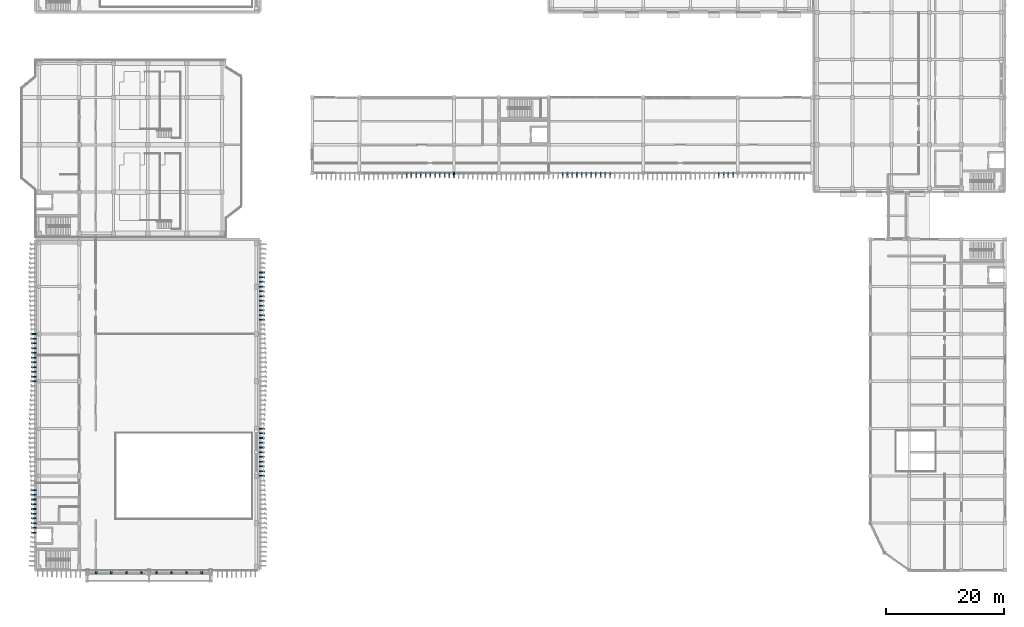
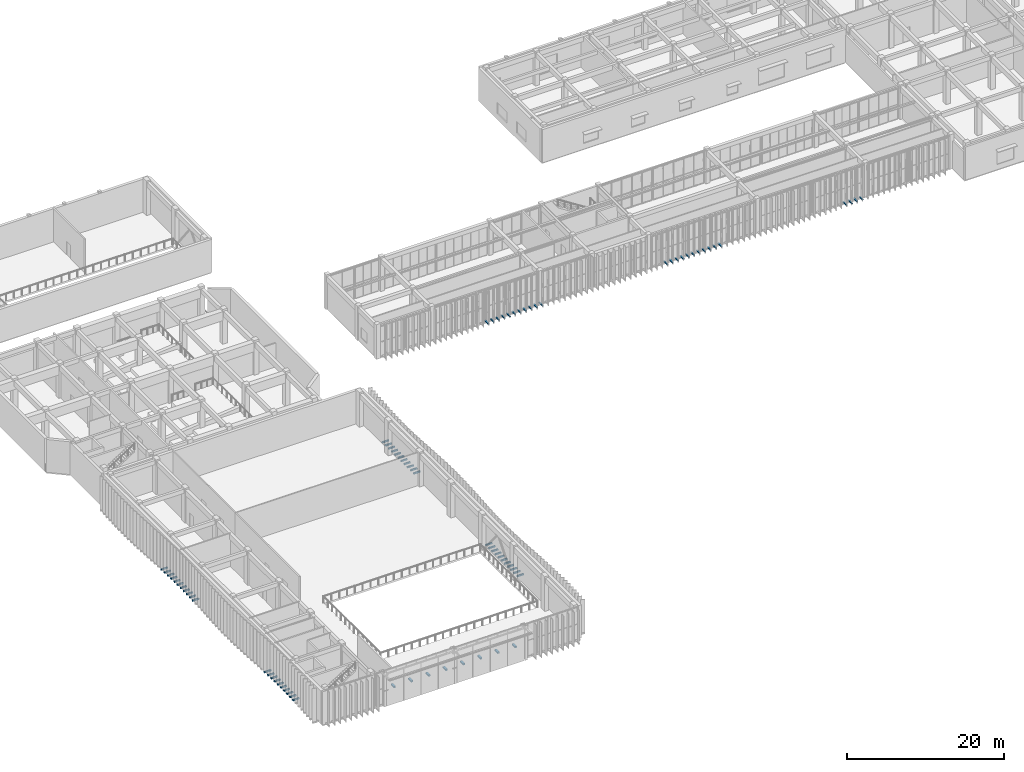
# One storey, part 50 of 64: 77 discrete accessories.
"""IFC4 building model written with IfcOpenShell, lengths in metres."""

from ifc_helpers import new_model, si_unit, direction, frame, origin, origin_2d, place, context, subcontext, project, spatial, rectangle, extrude, material, type_object, element, save


model = new_model("IFC4")

# Units and contexts
model_context = context("Model", 3, precision=1e-05, world=origin(), true_north=direction((0.0, 1.0)))
body_context = subcontext(model_context, "Body", "Model", "MODEL_VIEW")
ifc_project = project(units=[si_unit("LENGTHUNIT", "METRE"), si_unit("AREAUNIT", "SQUARE_METRE"), si_unit("VOLUMEUNIT", "CUBIC_METRE"), si_unit("PLANEANGLEUNIT", "RADIAN"), si_unit("MASSUNIT", "GRAM", prefix="KILO")], contexts=[model_context])

# Site, building, storey
site_placement = place(None, origin())
site = spatial("IfcSite", under=ifc_project, at=site_placement, CompositionType="ELEMENT")
building_placement = place(site_placement, origin())
building = spatial("IfcBuilding", under=site, at=building_placement, Name="Cinchona Park Media Centre", CompositionType="ELEMENT")
storey_placement = place(building_placement, frame((0.0, 0.0, 10.199951171875)))
storey = spatial("IfcBuildingStorey", under=building, at=storey_placement, Name="L02", CompositionType="ELEMENT", Elevation=10.199951171875)

# Discrete accessories
ifc_material = material(Name="Steel S355", Category="steel")
discrete_accessory_type = type_object("IfcDiscreteAccessoryType", Name="BRACKET-BRK01", PredefinedType="BRACKET", material=ifc_material)
discrete_accessory_1_placement = place(storey_placement, frame((7.681884765625, 47.60009765625, 0.0400390625), z_axis=(0.0, 0.0, 1.0), x_axis=(0.0, -1.0, 0.0)))
element("IfcDiscreteAccessory", 1, at=discrete_accessory_1_placement, inside=storey, type_object=discrete_accessory_type, Name="Facade Fin Outrigger Bracket L02", PredefinedType="BRACKET", context=body_context, shape_type="SweptSolid", body=[
    extrude(rectangle(XDim=0.179931640625, YDim=0.9560546875, at=origin_2d()), origin(), (0.0, 0.0, 1.0), 0.159912109375),
])
discrete_accessory_2_placement = place(storey_placement, frame((7.697021484375, 46.800048828125, 0.0400390625), z_axis=(0.0, 0.0, 1.0), x_axis=(0.0, -1.0, 0.0)))
element("IfcDiscreteAccessory", 2, at=discrete_accessory_2_placement, inside=storey, type_object=discrete_accessory_type, Name="Facade Fin Outrigger Bracket L02", PredefinedType="BRACKET", context=body_context, shape_type="SweptSolid", body=[
    extrude(rectangle(XDim=0.179931640625, YDim=0.925048828125, at=origin_2d()), origin(), (0.0, 0.0, 1.0), 0.159912109375),
])
discrete_accessory_3_placement = place(storey_placement, frame((7.7109375, 46.0, 0.0400390625), z_axis=(0.0, 0.0, 1.0), x_axis=(0.0, -1.0, 0.0)))
element("IfcDiscreteAccessory", 3, at=discrete_accessory_3_placement, inside=storey, type_object=discrete_accessory_type, Name="Facade Fin Outrigger Bracket L02", PredefinedType="BRACKET", context=body_context, shape_type="SweptSolid", body=[
    extrude(rectangle(XDim=0.179931640625, YDim=0.89892578125, at=origin_2d()), origin(), (0.0, 0.0, 1.0), 0.159912109375),
])
discrete_accessory_4_placement = place(storey_placement, frame((7.720947265625, 45.199951171875, 0.0400390625), z_axis=(0.0, 0.0, 1.0), x_axis=(0.0, -1.0, 0.0)))
element("IfcDiscreteAccessory", 4, at=discrete_accessory_4_placement, inside=storey, type_object=discrete_accessory_type, Name="Facade Fin Outrigger Bracket L02", PredefinedType="BRACKET", context=body_context, shape_type="SweptSolid", body=[
    extrude(rectangle(XDim=0.179931640625, YDim=0.87890625, at=origin_2d()), origin(), (0.0, 0.0, 1.0), 0.159912109375),
])
discrete_accessory_5_placement = place(storey_placement, frame((7.72705078125, 44.39990234375, 0.0400390625), z_axis=(0.0, 0.0, 1.0), x_axis=(0.0, -1.0, 0.0)))
element("IfcDiscreteAccessory", 5, at=discrete_accessory_5_placement, inside=storey, type_object=discrete_accessory_type, Name="Facade Fin Outrigger Bracket L02", PredefinedType="BRACKET", context=body_context, shape_type="SweptSolid", body=[
    extrude(rectangle(XDim=0.179931640625, YDim=0.865966796875, at=origin_2d()), origin(), (0.0, 0.0, 1.0), 0.159912109375),
])
discrete_accessory_6_placement = place(storey_placement, frame((7.72998046875, 43.60009765625, 0.0400390625), z_axis=(0.0, 0.0, 1.0), x_axis=(0.0, -1.0, 0.0)))
element("IfcDiscreteAccessory", 6, at=discrete_accessory_6_placement, inside=storey, type_object=discrete_accessory_type, Name="Facade Fin Outrigger Bracket L02", PredefinedType="BRACKET", context=body_context, shape_type="SweptSolid", body=[
    extrude(rectangle(XDim=0.179931640625, YDim=0.860107421875, at=origin_2d()), origin(), (0.0, 0.0, 1.0), 0.159912109375),
])
discrete_accessory_7_placement = place(storey_placement, frame((7.72900390625, 42.800048828125, 0.0400390625), z_axis=(0.0, 0.0, 1.0), x_axis=(0.0, -1.0, 0.0)))
element("IfcDiscreteAccessory", 7, at=discrete_accessory_7_placement, inside=storey, type_object=discrete_accessory_type, Name="Facade Fin Outrigger Bracket L02", PredefinedType="BRACKET", context=body_context, shape_type="SweptSolid", body=[
    extrude(rectangle(XDim=0.179931640625, YDim=0.862060546875, at=origin_2d()), origin(), (0.0, 0.0, 1.0), 0.159912109375),
])
discrete_accessory_8_placement = place(storey_placement, frame((7.72412109375, 42.0, 0.0400390625), z_axis=(0.0, 0.0, 1.0), x_axis=(0.0, -1.0, 0.0)))
element("IfcDiscreteAccessory", 8, at=discrete_accessory_8_placement, inside=storey, type_object=discrete_accessory_type, Name="Facade Fin Outrigger Bracket L02", PredefinedType="BRACKET", context=body_context, shape_type="SweptSolid", body=[
    extrude(rectangle(XDim=0.179931640625, YDim=0.8720703125, at=origin_2d()), origin(), (0.0, 0.0, 1.0), 0.159912109375),
])
discrete_accessory_9_placement = place(storey_placement, frame((7.716064453125, 41.199951171875, 0.0400390625), z_axis=(0.0, 0.0, 1.0), x_axis=(0.0, -1.0, 0.0)))
element("IfcDiscreteAccessory", 9, at=discrete_accessory_9_placement, inside=storey, type_object=discrete_accessory_type, Name="Facade Fin Outrigger Bracket L02", PredefinedType="BRACKET", context=body_context, shape_type="SweptSolid", body=[
    extrude(rectangle(XDim=0.179931640625, YDim=0.887939453125, at=origin_2d()), origin(), (0.0, 0.0, 1.0), 0.159912109375),
])
discrete_accessory_10_placement = place(storey_placement, frame((7.7041015625, 40.39990234375, 0.0400390625), z_axis=(0.0, 0.0, 1.0), x_axis=(0.0, -1.0, 0.0)))
element("IfcDiscreteAccessory", 10, at=discrete_accessory_10_placement, inside=storey, type_object=discrete_accessory_type, Name="Facade Fin Outrigger Bracket L02", PredefinedType="BRACKET", context=body_context, shape_type="SweptSolid", body=[
    extrude(rectangle(XDim=0.179931640625, YDim=0.910888671875, at=origin_2d()), origin(), (0.0, 0.0, 1.0), 0.159912109375),
])
discrete_accessory_11_placement = place(storey_placement, frame((7.68994140625, 39.60009765625, 0.0400390625), z_axis=(0.0, 0.0, 1.0), x_axis=(0.0, -1.0, 0.0)))
element("IfcDiscreteAccessory", 11, at=discrete_accessory_11_placement, inside=storey, type_object=discrete_accessory_type, Name="Facade Fin Outrigger Bracket L02", PredefinedType="BRACKET", context=body_context, shape_type="SweptSolid", body=[
    extrude(rectangle(XDim=0.179931640625, YDim=0.93994140625, at=origin_2d()), origin(), (0.0, 0.0, 1.0), 0.159912109375),
])
discrete_accessory_12_placement = place(storey_placement, frame((7.681884765625, 21.199951171875, 0.0400390625), z_axis=(0.0, 0.0, 1.0), x_axis=(0.0, -1.0, 0.0)))
element("IfcDiscreteAccessory", 12, at=discrete_accessory_12_placement, inside=storey, type_object=discrete_accessory_type, Name="Facade Fin Outrigger Bracket L02", PredefinedType="BRACKET", context=body_context, shape_type="SweptSolid", body=[
    extrude(rectangle(XDim=0.179931640625, YDim=0.9560546875, at=origin_2d()), origin(), (0.0, 0.0, 1.0), 0.159912109375),
])
discrete_accessory_13_placement = place(storey_placement, frame((7.697021484375, 20.39990234375, 0.0400390625), z_axis=(0.0, 0.0, 1.0), x_axis=(0.0, -1.0, 0.0)))
element("IfcDiscreteAccessory", 13, at=discrete_accessory_13_placement, inside=storey, type_object=discrete_accessory_type, Name="Facade Fin Outrigger Bracket L02", PredefinedType="BRACKET", context=body_context, shape_type="SweptSolid", body=[
    extrude(rectangle(XDim=0.179931640625, YDim=0.925048828125, at=origin_2d()), origin(), (0.0, 0.0, 1.0), 0.159912109375),
])
discrete_accessory_14_placement = place(storey_placement, frame((7.7109375, 19.60009765625, 0.0400390625), z_axis=(0.0, 0.0, 1.0), x_axis=(0.0, -1.0, 0.0)))
element("IfcDiscreteAccessory", 14, at=discrete_accessory_14_placement, inside=storey, type_object=discrete_accessory_type, Name="Facade Fin Outrigger Bracket L02", PredefinedType="BRACKET", context=body_context, shape_type="SweptSolid", body=[
    extrude(rectangle(XDim=0.179931640625, YDim=0.89892578125, at=origin_2d()), origin(), (0.0, 0.0, 1.0), 0.159912109375),
])
discrete_accessory_15_placement = place(storey_placement, frame((7.720947265625, 18.800048828125, 0.0400390625), z_axis=(0.0, 0.0, 1.0), x_axis=(0.0, -1.0, 0.0)))
element("IfcDiscreteAccessory", 15, at=discrete_accessory_15_placement, inside=storey, type_object=discrete_accessory_type, Name="Facade Fin Outrigger Bracket L02", PredefinedType="BRACKET", context=body_context, shape_type="SweptSolid", body=[
    extrude(rectangle(XDim=0.179931640625, YDim=0.87890625, at=origin_2d()), origin(), (0.0, 0.0, 1.0), 0.159912109375),
])
discrete_accessory_16_placement = place(storey_placement, frame((7.72705078125, 18.0, 0.0400390625), z_axis=(0.0, 0.0, 1.0), x_axis=(0.0, -1.0, 0.0)))
element("IfcDiscreteAccessory", 16, at=discrete_accessory_16_placement, inside=storey, type_object=discrete_accessory_type, Name="Facade Fin Outrigger Bracket L02", PredefinedType="BRACKET", context=body_context, shape_type="SweptSolid", body=[
    extrude(rectangle(XDim=0.179931640625, YDim=0.865966796875, at=origin_2d()), origin(), (0.0, 0.0, 1.0), 0.159912109375),
])
discrete_accessory_17_placement = place(storey_placement, frame((7.72998046875, 17.199951171875, 0.0400390625), z_axis=(0.0, 0.0, 1.0), x_axis=(0.0, -1.0, 0.0)))
element("IfcDiscreteAccessory", 17, at=discrete_accessory_17_placement, inside=storey, type_object=discrete_accessory_type, Name="Facade Fin Outrigger Bracket L02", PredefinedType="BRACKET", context=body_context, shape_type="SweptSolid", body=[
    extrude(rectangle(XDim=0.179931640625, YDim=0.860107421875, at=origin_2d()), origin(), (0.0, 0.0, 1.0), 0.159912109375),
])
discrete_accessory_18_placement = place(storey_placement, frame((7.72900390625, 16.39990234375, 0.0400390625), z_axis=(0.0, 0.0, 1.0), x_axis=(0.0, -1.0, 0.0)))
element("IfcDiscreteAccessory", 18, at=discrete_accessory_18_placement, inside=storey, type_object=discrete_accessory_type, Name="Facade Fin Outrigger Bracket L02", PredefinedType="BRACKET", context=body_context, shape_type="SweptSolid", body=[
    extrude(rectangle(XDim=0.179931640625, YDim=0.862060546875, at=origin_2d()), origin(), (0.0, 0.0, 1.0), 0.159912109375),
])
discrete_accessory_19_placement = place(storey_placement, frame((7.72412109375, 15.60009765625, 0.0400390625), z_axis=(0.0, 0.0, 1.0), x_axis=(0.0, -1.0, 0.0)))
element("IfcDiscreteAccessory", 19, at=discrete_accessory_19_placement, inside=storey, type_object=discrete_accessory_type, Name="Facade Fin Outrigger Bracket L02", PredefinedType="BRACKET", context=body_context, shape_type="SweptSolid", body=[
    extrude(rectangle(XDim=0.179931640625, YDim=0.8720703125, at=origin_2d()), origin(), (0.0, 0.0, 1.0), 0.159912109375),
])
discrete_accessory_20_placement = place(storey_placement, frame((7.716064453125, 14.800048828125, 0.0400390625), z_axis=(0.0, 0.0, 1.0), x_axis=(0.0, -1.0, 0.0)))
element("IfcDiscreteAccessory", 20, at=discrete_accessory_20_placement, inside=storey, type_object=discrete_accessory_type, Name="Facade Fin Outrigger Bracket L02", PredefinedType="BRACKET", context=body_context, shape_type="SweptSolid", body=[
    extrude(rectangle(XDim=0.179931640625, YDim=0.887939453125, at=origin_2d()), origin(), (0.0, 0.0, 1.0), 0.159912109375),
])
discrete_accessory_21_placement = place(storey_placement, frame((7.7041015625, 14.0, 0.0400390625), z_axis=(0.0, 0.0, 1.0), x_axis=(0.0, -1.0, 0.0)))
element("IfcDiscreteAccessory", 21, at=discrete_accessory_21_placement, inside=storey, type_object=discrete_accessory_type, Name="Facade Fin Outrigger Bracket L02", PredefinedType="BRACKET", context=body_context, shape_type="SweptSolid", body=[
    extrude(rectangle(XDim=0.179931640625, YDim=0.910888671875, at=origin_2d()), origin(), (0.0, 0.0, 1.0), 0.159912109375),
])
discrete_accessory_22_placement = place(storey_placement, frame((46.318115234375, 23.60009765625, 0.0400390625), z_axis=(0.0, 0.0, 1.0), x_axis=(0.0, 1.0, 0.0)))
element("IfcDiscreteAccessory", 22, at=discrete_accessory_22_placement, inside=storey, type_object=discrete_accessory_type, Name="Facade Fin Outrigger Bracket L02", PredefinedType="BRACKET", context=body_context, shape_type="SweptSolid", body=[
    extrude(rectangle(XDim=0.179931640625, YDim=0.9560546875, at=origin_2d()), origin(), (0.0, 0.0, 1.0), 0.159912109375),
])
discrete_accessory_23_placement = place(storey_placement, frame((46.302978515625, 24.39990234375, 0.0400390625), z_axis=(0.0, 0.0, 1.0), x_axis=(0.0, 1.0, 0.0)))
element("IfcDiscreteAccessory", 23, at=discrete_accessory_23_placement, inside=storey, type_object=discrete_accessory_type, Name="Facade Fin Outrigger Bracket L02", PredefinedType="BRACKET", context=body_context, shape_type="SweptSolid", body=[
    extrude(rectangle(XDim=0.179931640625, YDim=0.925048828125, at=origin_2d()), origin(), (0.0, 0.0, 1.0), 0.159912109375),
])
discrete_accessory_24_placement = place(storey_placement, frame((46.2890625, 25.199951171875, 0.0400390625), z_axis=(0.0, 0.0, 1.0), x_axis=(0.0, 1.0, 0.0)))
element("IfcDiscreteAccessory", 24, at=discrete_accessory_24_placement, inside=storey, type_object=discrete_accessory_type, Name="Facade Fin Outrigger Bracket L02", PredefinedType="BRACKET", context=body_context, shape_type="SweptSolid", body=[
    extrude(rectangle(XDim=0.179931640625, YDim=0.89892578125, at=origin_2d()), origin(), (0.0, 0.0, 1.0), 0.159912109375),
])
discrete_accessory_25_placement = place(storey_placement, frame((46.279052734375, 26.0, 0.0400390625), z_axis=(0.0, 0.0, 1.0), x_axis=(0.0, 1.0, 0.0)))
element("IfcDiscreteAccessory", 25, at=discrete_accessory_25_placement, inside=storey, type_object=discrete_accessory_type, Name="Facade Fin Outrigger Bracket L02", PredefinedType="BRACKET", context=body_context, shape_type="SweptSolid", body=[
    extrude(rectangle(XDim=0.179931640625, YDim=0.87890625, at=origin_2d()), origin(), (0.0, 0.0, 1.0), 0.159912109375),
])
discrete_accessory_26_placement = place(storey_placement, frame((46.27294921875, 26.800048828125, 0.0400390625), z_axis=(0.0, 0.0, 1.0), x_axis=(0.0, 1.0, 0.0)))
element("IfcDiscreteAccessory", 26, at=discrete_accessory_26_placement, inside=storey, type_object=discrete_accessory_type, Name="Facade Fin Outrigger Bracket L02", PredefinedType="BRACKET", context=body_context, shape_type="SweptSolid", body=[
    extrude(rectangle(XDim=0.179931640625, YDim=0.865966796875, at=origin_2d()), origin(), (0.0, 0.0, 1.0), 0.159912109375),
])
discrete_accessory_27_placement = place(storey_placement, frame((46.27001953125, 27.60009765625, 0.0400390625), z_axis=(0.0, 0.0, 1.0), x_axis=(0.0, 1.0, 0.0)))
element("IfcDiscreteAccessory", 27, at=discrete_accessory_27_placement, inside=storey, type_object=discrete_accessory_type, Name="Facade Fin Outrigger Bracket L02", PredefinedType="BRACKET", context=body_context, shape_type="SweptSolid", body=[
    extrude(rectangle(XDim=0.179931640625, YDim=0.860107421875, at=origin_2d()), origin(), (0.0, 0.0, 1.0), 0.159912109375),
])
discrete_accessory_28_placement = place(storey_placement, frame((46.27099609375, 28.39990234375, 0.0400390625), z_axis=(0.0, 0.0, 1.0), x_axis=(0.0, 1.0, 0.0)))
element("IfcDiscreteAccessory", 28, at=discrete_accessory_28_placement, inside=storey, type_object=discrete_accessory_type, Name="Facade Fin Outrigger Bracket L02", PredefinedType="BRACKET", context=body_context, shape_type="SweptSolid", body=[
    extrude(rectangle(XDim=0.179931640625, YDim=0.862060546875, at=origin_2d()), origin(), (0.0, 0.0, 1.0), 0.159912109375),
])
discrete_accessory_29_placement = place(storey_placement, frame((46.27587890625, 29.199951171875, 0.0400390625), z_axis=(0.0, 0.0, 1.0), x_axis=(0.0, 1.0, 0.0)))
element("IfcDiscreteAccessory", 29, at=discrete_accessory_29_placement, inside=storey, type_object=discrete_accessory_type, Name="Facade Fin Outrigger Bracket L02", PredefinedType="BRACKET", context=body_context, shape_type="SweptSolid", body=[
    extrude(rectangle(XDim=0.179931640625, YDim=0.8720703125, at=origin_2d()), origin(), (0.0, 0.0, 1.0), 0.159912109375),
])
discrete_accessory_30_placement = place(storey_placement, frame((46.283935546875, 30.0, 0.0400390625), z_axis=(0.0, 0.0, 1.0), x_axis=(0.0, 1.0, 0.0)))
element("IfcDiscreteAccessory", 30, at=discrete_accessory_30_placement, inside=storey, type_object=discrete_accessory_type, Name="Facade Fin Outrigger Bracket L02", PredefinedType="BRACKET", context=body_context, shape_type="SweptSolid", body=[
    extrude(rectangle(XDim=0.179931640625, YDim=0.887939453125, at=origin_2d()), origin(), (0.0, 0.0, 1.0), 0.159912109375),
])
discrete_accessory_31_placement = place(storey_placement, frame((46.2958984375, 30.800048828125, 0.0400390625), z_axis=(0.0, 0.0, 1.0), x_axis=(0.0, 1.0, 0.0)))
element("IfcDiscreteAccessory", 31, at=discrete_accessory_31_placement, inside=storey, type_object=discrete_accessory_type, Name="Facade Fin Outrigger Bracket L02", PredefinedType="BRACKET", context=body_context, shape_type="SweptSolid", body=[
    extrude(rectangle(XDim=0.179931640625, YDim=0.910888671875, at=origin_2d()), origin(), (0.0, 0.0, 1.0), 0.159912109375),
])
discrete_accessory_32_placement = place(storey_placement, frame((46.31005859375, 31.60009765625, 0.0400390625), z_axis=(0.0, 0.0, 1.0), x_axis=(0.0, 1.0, 0.0)))
element("IfcDiscreteAccessory", 32, at=discrete_accessory_32_placement, inside=storey, type_object=discrete_accessory_type, Name="Facade Fin Outrigger Bracket L02", PredefinedType="BRACKET", context=body_context, shape_type="SweptSolid", body=[
    extrude(rectangle(XDim=0.179931640625, YDim=0.93994140625, at=origin_2d()), origin(), (0.0, 0.0, 1.0), 0.159912109375),
])
discrete_accessory_33_placement = place(storey_placement, frame((46.318115234375, 50.0, 0.0400390625), z_axis=(0.0, 0.0, 1.0), x_axis=(0.0, 1.0, 0.0)))
element("IfcDiscreteAccessory", 33, at=discrete_accessory_33_placement, inside=storey, type_object=discrete_accessory_type, Name="Facade Fin Outrigger Bracket L02", PredefinedType="BRACKET", context=body_context, shape_type="SweptSolid", body=[
    extrude(rectangle(XDim=0.179931640625, YDim=0.9560546875, at=origin_2d()), origin(), (0.0, 0.0, 1.0), 0.159912109375),
])
discrete_accessory_34_placement = place(storey_placement, frame((46.302978515625, 50.800048828125, 0.0400390625), z_axis=(0.0, 0.0, 1.0), x_axis=(0.0, 1.0, 0.0)))
element("IfcDiscreteAccessory", 34, at=discrete_accessory_34_placement, inside=storey, type_object=discrete_accessory_type, Name="Facade Fin Outrigger Bracket L02", PredefinedType="BRACKET", context=body_context, shape_type="SweptSolid", body=[
    extrude(rectangle(XDim=0.179931640625, YDim=0.925048828125, at=origin_2d()), origin(), (0.0, 0.0, 1.0), 0.159912109375),
])
discrete_accessory_35_placement = place(storey_placement, frame((46.2890625, 51.60009765625, 0.0400390625), z_axis=(0.0, 0.0, 1.0), x_axis=(0.0, 1.0, 0.0)))
element("IfcDiscreteAccessory", 35, at=discrete_accessory_35_placement, inside=storey, type_object=discrete_accessory_type, Name="Facade Fin Outrigger Bracket L02", PredefinedType="BRACKET", context=body_context, shape_type="SweptSolid", body=[
    extrude(rectangle(XDim=0.179931640625, YDim=0.89892578125, at=origin_2d()), origin(), (0.0, 0.0, 1.0), 0.159912109375),
])
discrete_accessory_36_placement = place(storey_placement, frame((46.279052734375, 52.39990234375, 0.0400390625), z_axis=(0.0, 0.0, 1.0), x_axis=(0.0, 1.0, 0.0)))
element("IfcDiscreteAccessory", 36, at=discrete_accessory_36_placement, inside=storey, type_object=discrete_accessory_type, Name="Facade Fin Outrigger Bracket L02", PredefinedType="BRACKET", context=body_context, shape_type="SweptSolid", body=[
    extrude(rectangle(XDim=0.179931640625, YDim=0.87890625, at=origin_2d()), origin(), (0.0, 0.0, 1.0), 0.159912109375),
])
discrete_accessory_37_placement = place(storey_placement, frame((46.27294921875, 53.199951171875, 0.0400390625), z_axis=(0.0, 0.0, 1.0), x_axis=(0.0, 1.0, 0.0)))
element("IfcDiscreteAccessory", 37, at=discrete_accessory_37_placement, inside=storey, type_object=discrete_accessory_type, Name="Facade Fin Outrigger Bracket L02", PredefinedType="BRACKET", context=body_context, shape_type="SweptSolid", body=[
    extrude(rectangle(XDim=0.179931640625, YDim=0.865966796875, at=origin_2d()), origin(), (0.0, 0.0, 1.0), 0.159912109375),
])
discrete_accessory_38_placement = place(storey_placement, frame((46.27001953125, 54.0, 0.0400390625), z_axis=(0.0, 0.0, 1.0), x_axis=(0.0, 1.0, 0.0)))
element("IfcDiscreteAccessory", 38, at=discrete_accessory_38_placement, inside=storey, type_object=discrete_accessory_type, Name="Facade Fin Outrigger Bracket L02", PredefinedType="BRACKET", context=body_context, shape_type="SweptSolid", body=[
    extrude(rectangle(XDim=0.179931640625, YDim=0.860107421875, at=origin_2d()), origin(), (0.0, 0.0, 1.0), 0.159912109375),
])
discrete_accessory_39_placement = place(storey_placement, frame((46.27099609375, 54.800048828125, 0.0400390625), z_axis=(0.0, 0.0, 1.0), x_axis=(0.0, 1.0, 0.0)))
element("IfcDiscreteAccessory", 39, at=discrete_accessory_39_placement, inside=storey, type_object=discrete_accessory_type, Name="Facade Fin Outrigger Bracket L02", PredefinedType="BRACKET", context=body_context, shape_type="SweptSolid", body=[
    extrude(rectangle(XDim=0.179931640625, YDim=0.862060546875, at=origin_2d()), origin(), (0.0, 0.0, 1.0), 0.159912109375),
])
discrete_accessory_40_placement = place(storey_placement, frame((46.27587890625, 55.60009765625, 0.0400390625), z_axis=(0.0, 0.0, 1.0), x_axis=(0.0, 1.0, 0.0)))
element("IfcDiscreteAccessory", 40, at=discrete_accessory_40_placement, inside=storey, type_object=discrete_accessory_type, Name="Facade Fin Outrigger Bracket L02", PredefinedType="BRACKET", context=body_context, shape_type="SweptSolid", body=[
    extrude(rectangle(XDim=0.179931640625, YDim=0.8720703125, at=origin_2d()), origin(), (0.0, 0.0, 1.0), 0.159912109375),
])
discrete_accessory_41_placement = place(storey_placement, frame((46.283935546875, 56.39990234375, 0.0400390625), z_axis=(0.0, 0.0, 1.0), x_axis=(0.0, 1.0, 0.0)))
element("IfcDiscreteAccessory", 41, at=discrete_accessory_41_placement, inside=storey, type_object=discrete_accessory_type, Name="Facade Fin Outrigger Bracket L02", PredefinedType="BRACKET", context=body_context, shape_type="SweptSolid", body=[
    extrude(rectangle(XDim=0.179931640625, YDim=0.887939453125, at=origin_2d()), origin(), (0.0, 0.0, 1.0), 0.159912109375),
])
discrete_accessory_42_placement = place(storey_placement, frame((46.2958984375, 57.199951171875, 0.0400390625), z_axis=(0.0, 0.0, 1.0), x_axis=(0.0, 1.0, 0.0)))
element("IfcDiscreteAccessory", 42, at=discrete_accessory_42_placement, inside=storey, type_object=discrete_accessory_type, Name="Facade Fin Outrigger Bracket L02", PredefinedType="BRACKET", context=body_context, shape_type="SweptSolid", body=[
    extrude(rectangle(XDim=0.179931640625, YDim=0.910888671875, at=origin_2d()), origin(), (0.0, 0.0, 1.0), 0.159912109375),
])
discrete_accessory_43_placement = place(storey_placement, frame((46.31005859375, 58.0, 0.0400390625), z_axis=(0.0, 0.0, 1.0), x_axis=(0.0, 1.0, 0.0)))
element("IfcDiscreteAccessory", 43, at=discrete_accessory_43_placement, inside=storey, type_object=discrete_accessory_type, Name="Facade Fin Outrigger Bracket L02", PredefinedType="BRACKET", context=body_context, shape_type="SweptSolid", body=[
    extrude(rectangle(XDim=0.179931640625, YDim=0.93994140625, at=origin_2d()), origin(), (0.0, 0.0, 1.0), 0.159912109375),
])
discrete_accessory_44_placement = place(storey_placement, frame((70.800048828125, 74.48193359375, 0.0400390625), z_axis=(0.0, 0.0, 1.0), x_axis=(1.0, 0.0, 0.0)))
element("IfcDiscreteAccessory", 44, at=discrete_accessory_44_placement, inside=storey, type_object=discrete_accessory_type, Name="Facade Fin Outrigger Bracket L02", PredefinedType="BRACKET", context=body_context, shape_type="SweptSolid", body=[
    extrude(rectangle(XDim=0.179931640625, YDim=0.9560546875, at=origin_2d()), origin(), (0.0, 0.0, 1.0), 0.159912109375),
])
discrete_accessory_45_placement = place(storey_placement, frame((71.60009765625, 74.4970703125, 0.0400390625), z_axis=(0.0, 0.0, 1.0), x_axis=(1.0, 0.0, 0.0)))
element("IfcDiscreteAccessory", 45, at=discrete_accessory_45_placement, inside=storey, type_object=discrete_accessory_type, Name="Facade Fin Outrigger Bracket L02", PredefinedType="BRACKET", context=body_context, shape_type="SweptSolid", body=[
    extrude(rectangle(XDim=0.179931640625, YDim=0.925048828125, at=origin_2d()), origin(), (0.0, 0.0, 1.0), 0.159912109375),
])
discrete_accessory_46_placement = place(storey_placement, frame((72.39990234375, 74.510986328125, 0.0400390625), z_axis=(0.0, 0.0, 1.0), x_axis=(1.0, 0.0, 0.0)))
element("IfcDiscreteAccessory", 46, at=discrete_accessory_46_placement, inside=storey, type_object=discrete_accessory_type, Name="Facade Fin Outrigger Bracket L02", PredefinedType="BRACKET", context=body_context, shape_type="SweptSolid", body=[
    extrude(rectangle(XDim=0.179931640625, YDim=0.89892578125, at=origin_2d()), origin(), (0.0, 0.0, 1.0), 0.159912109375),
])
discrete_accessory_47_placement = place(storey_placement, frame((73.199951171875, 74.52099609375, 0.0400390625), z_axis=(0.0, 0.0, 1.0), x_axis=(1.0, 0.0, 0.0)))
element("IfcDiscreteAccessory", 47, at=discrete_accessory_47_placement, inside=storey, type_object=discrete_accessory_type, Name="Facade Fin Outrigger Bracket L02", PredefinedType="BRACKET", context=body_context, shape_type="SweptSolid", body=[
    extrude(rectangle(XDim=0.179931640625, YDim=0.87890625, at=origin_2d()), origin(), (0.0, 0.0, 1.0), 0.159912109375),
])
discrete_accessory_48_placement = place(storey_placement, frame((74.0, 74.527099609375, 0.0400390625), z_axis=(0.0, 0.0, 1.0), x_axis=(1.0, 0.0, 0.0)))
element("IfcDiscreteAccessory", 48, at=discrete_accessory_48_placement, inside=storey, type_object=discrete_accessory_type, Name="Facade Fin Outrigger Bracket L02", PredefinedType="BRACKET", context=body_context, shape_type="SweptSolid", body=[
    extrude(rectangle(XDim=0.179931640625, YDim=0.865966796875, at=origin_2d()), origin(), (0.0, 0.0, 1.0), 0.159912109375),
])
discrete_accessory_49_placement = place(storey_placement, frame((74.800048828125, 74.530029296875, 0.0400390625), z_axis=(0.0, 0.0, 1.0), x_axis=(1.0, 0.0, 0.0)))
element("IfcDiscreteAccessory", 49, at=discrete_accessory_49_placement, inside=storey, type_object=discrete_accessory_type, Name="Facade Fin Outrigger Bracket L02", PredefinedType="BRACKET", context=body_context, shape_type="SweptSolid", body=[
    extrude(rectangle(XDim=0.179931640625, YDim=0.860107421875, at=origin_2d()), origin(), (0.0, 0.0, 1.0), 0.159912109375),
])
discrete_accessory_50_placement = place(storey_placement, frame((75.60009765625, 74.529052734375, 0.0400390625), z_axis=(0.0, 0.0, 1.0), x_axis=(1.0, 0.0, 0.0)))
element("IfcDiscreteAccessory", 50, at=discrete_accessory_50_placement, inside=storey, type_object=discrete_accessory_type, Name="Facade Fin Outrigger Bracket L02", PredefinedType="BRACKET", context=body_context, shape_type="SweptSolid", body=[
    extrude(rectangle(XDim=0.179931640625, YDim=0.862060546875, at=origin_2d()), origin(), (0.0, 0.0, 1.0), 0.159912109375),
])
discrete_accessory_51_placement = place(storey_placement, frame((76.39990234375, 74.52392578125, 0.0400390625), z_axis=(0.0, 0.0, 1.0), x_axis=(1.0, 0.0, 0.0)))
element("IfcDiscreteAccessory", 51, at=discrete_accessory_51_placement, inside=storey, type_object=discrete_accessory_type, Name="Facade Fin Outrigger Bracket L02", PredefinedType="BRACKET", context=body_context, shape_type="SweptSolid", body=[
    extrude(rectangle(XDim=0.179931640625, YDim=0.8720703125, at=origin_2d()), origin(), (0.0, 0.0, 1.0), 0.159912109375),
])
discrete_accessory_52_placement = place(storey_placement, frame((77.199951171875, 74.51611328125, 0.0400390625), z_axis=(0.0, 0.0, 1.0), x_axis=(1.0, 0.0, 0.0)))
element("IfcDiscreteAccessory", 52, at=discrete_accessory_52_placement, inside=storey, type_object=discrete_accessory_type, Name="Facade Fin Outrigger Bracket L02", PredefinedType="BRACKET", context=body_context, shape_type="SweptSolid", body=[
    extrude(rectangle(XDim=0.179931640625, YDim=0.887939453125, at=origin_2d()), origin(), (0.0, 0.0, 1.0), 0.159912109375),
])
discrete_accessory_53_placement = place(storey_placement, frame((78.0, 74.50390625, 0.0400390625), z_axis=(0.0, 0.0, 1.0), x_axis=(1.0, 0.0, 0.0)))
element("IfcDiscreteAccessory", 53, at=discrete_accessory_53_placement, inside=storey, type_object=discrete_accessory_type, Name="Facade Fin Outrigger Bracket L02", PredefinedType="BRACKET", context=body_context, shape_type="SweptSolid", body=[
    extrude(rectangle(XDim=0.179931640625, YDim=0.910888671875, at=origin_2d()), origin(), (0.0, 0.0, 1.0), 0.159912109375),
])
discrete_accessory_54_placement = place(storey_placement, frame((78.800048828125, 74.489990234375, 0.0400390625), z_axis=(0.0, 0.0, 1.0), x_axis=(1.0, 0.0, 0.0)))
element("IfcDiscreteAccessory", 54, at=discrete_accessory_54_placement, inside=storey, type_object=discrete_accessory_type, Name="Facade Fin Outrigger Bracket L02", PredefinedType="BRACKET", context=body_context, shape_type="SweptSolid", body=[
    extrude(rectangle(XDim=0.179931640625, YDim=0.93994140625, at=origin_2d()), origin(), (0.0, 0.0, 1.0), 0.159912109375),
])
discrete_accessory_55_placement = place(storey_placement, frame((97.199951171875, 74.48193359375, 0.0400390625), z_axis=(0.0, 0.0, 1.0), x_axis=(1.0, 0.0, 0.0)))
element("IfcDiscreteAccessory", 55, at=discrete_accessory_55_placement, inside=storey, type_object=discrete_accessory_type, Name="Facade Fin Outrigger Bracket L02", PredefinedType="BRACKET", context=body_context, shape_type="SweptSolid", body=[
    extrude(rectangle(XDim=0.179931640625, YDim=0.9560546875, at=origin_2d()), origin(), (0.0, 0.0, 1.0), 0.159912109375),
])
discrete_accessory_56_placement = place(storey_placement, frame((98.0, 74.4970703125, 0.0400390625), z_axis=(0.0, 0.0, 1.0), x_axis=(1.0, 0.0, 0.0)))
element("IfcDiscreteAccessory", 56, at=discrete_accessory_56_placement, inside=storey, type_object=discrete_accessory_type, Name="Facade Fin Outrigger Bracket L02", PredefinedType="BRACKET", context=body_context, shape_type="SweptSolid", body=[
    extrude(rectangle(XDim=0.179931640625, YDim=0.925048828125, at=origin_2d()), origin(), (0.0, 0.0, 1.0), 0.159912109375),
])
discrete_accessory_57_placement = place(storey_placement, frame((98.800048828125, 74.510986328125, 0.0400390625), z_axis=(0.0, 0.0, 1.0), x_axis=(1.0, 0.0, 0.0)))
element("IfcDiscreteAccessory", 57, at=discrete_accessory_57_placement, inside=storey, type_object=discrete_accessory_type, Name="Facade Fin Outrigger Bracket L02", PredefinedType="BRACKET", context=body_context, shape_type="SweptSolid", body=[
    extrude(rectangle(XDim=0.179931640625, YDim=0.89892578125, at=origin_2d()), origin(), (0.0, 0.0, 1.0), 0.159912109375),
])
discrete_accessory_58_placement = place(storey_placement, frame((99.60009765625, 74.52099609375, 0.0400390625), z_axis=(0.0, 0.0, 1.0), x_axis=(1.0, 0.0, 0.0)))
element("IfcDiscreteAccessory", 58, at=discrete_accessory_58_placement, inside=storey, type_object=discrete_accessory_type, Name="Facade Fin Outrigger Bracket L02", PredefinedType="BRACKET", context=body_context, shape_type="SweptSolid", body=[
    extrude(rectangle(XDim=0.179931640625, YDim=0.87890625, at=origin_2d()), origin(), (0.0, 0.0, 1.0), 0.159912109375),
])
discrete_accessory_59_placement = place(storey_placement, frame((100.39990234375, 74.527099609375, 0.0400390625), z_axis=(0.0, 0.0, 1.0), x_axis=(1.0, 0.0, 0.0)))
element("IfcDiscreteAccessory", 59, at=discrete_accessory_59_placement, inside=storey, type_object=discrete_accessory_type, Name="Facade Fin Outrigger Bracket L02", PredefinedType="BRACKET", context=body_context, shape_type="SweptSolid", body=[
    extrude(rectangle(XDim=0.179931640625, YDim=0.865966796875, at=origin_2d()), origin(), (0.0, 0.0, 1.0), 0.159912109375),
])
discrete_accessory_60_placement = place(storey_placement, frame((101.199951171875, 74.530029296875, 0.0400390625), z_axis=(0.0, 0.0, 1.0), x_axis=(1.0, 0.0, 0.0)))
element("IfcDiscreteAccessory", 60, at=discrete_accessory_60_placement, inside=storey, type_object=discrete_accessory_type, Name="Facade Fin Outrigger Bracket L02", PredefinedType="BRACKET", context=body_context, shape_type="SweptSolid", body=[
    extrude(rectangle(XDim=0.179931640625, YDim=0.860107421875, at=origin_2d()), origin(), (0.0, 0.0, 1.0), 0.159912109375),
])
discrete_accessory_61_placement = place(storey_placement, frame((102.0, 74.529052734375, 0.0400390625), z_axis=(0.0, 0.0, 1.0), x_axis=(1.0, 0.0, 0.0)))
element("IfcDiscreteAccessory", 61, at=discrete_accessory_61_placement, inside=storey, type_object=discrete_accessory_type, Name="Facade Fin Outrigger Bracket L02", PredefinedType="BRACKET", context=body_context, shape_type="SweptSolid", body=[
    extrude(rectangle(XDim=0.179931640625, YDim=0.862060546875, at=origin_2d()), origin(), (0.0, 0.0, 1.0), 0.159912109375),
])
discrete_accessory_62_placement = place(storey_placement, frame((102.800048828125, 74.52392578125, 0.0400390625), z_axis=(0.0, 0.0, 1.0), x_axis=(1.0, 0.0, 0.0)))
element("IfcDiscreteAccessory", 62, at=discrete_accessory_62_placement, inside=storey, type_object=discrete_accessory_type, Name="Facade Fin Outrigger Bracket L02", PredefinedType="BRACKET", context=body_context, shape_type="SweptSolid", body=[
    extrude(rectangle(XDim=0.179931640625, YDim=0.8720703125, at=origin_2d()), origin(), (0.0, 0.0, 1.0), 0.159912109375),
])
discrete_accessory_63_placement = place(storey_placement, frame((103.60009765625, 74.51611328125, 0.0400390625), z_axis=(0.0, 0.0, 1.0), x_axis=(1.0, 0.0, 0.0)))
element("IfcDiscreteAccessory", 63, at=discrete_accessory_63_placement, inside=storey, type_object=discrete_accessory_type, Name="Facade Fin Outrigger Bracket L02", PredefinedType="BRACKET", context=body_context, shape_type="SweptSolid", body=[
    extrude(rectangle(XDim=0.179931640625, YDim=0.887939453125, at=origin_2d()), origin(), (0.0, 0.0, 1.0), 0.159912109375),
])
discrete_accessory_64_placement = place(storey_placement, frame((104.39990234375, 74.50390625, 0.0400390625), z_axis=(0.0, 0.0, 1.0), x_axis=(1.0, 0.0, 0.0)))
element("IfcDiscreteAccessory", 64, at=discrete_accessory_64_placement, inside=storey, type_object=discrete_accessory_type, Name="Facade Fin Outrigger Bracket L02", PredefinedType="BRACKET", context=body_context, shape_type="SweptSolid", body=[
    extrude(rectangle(XDim=0.179931640625, YDim=0.910888671875, at=origin_2d()), origin(), (0.0, 0.0, 1.0), 0.159912109375),
])
discrete_accessory_65_placement = place(storey_placement, frame((105.199951171875, 74.489990234375, 0.0400390625), z_axis=(0.0, 0.0, 1.0), x_axis=(1.0, 0.0, 0.0)))
element("IfcDiscreteAccessory", 65, at=discrete_accessory_65_placement, inside=storey, type_object=discrete_accessory_type, Name="Facade Fin Outrigger Bracket L02", PredefinedType="BRACKET", context=body_context, shape_type="SweptSolid", body=[
    extrude(rectangle(XDim=0.179931640625, YDim=0.93994140625, at=origin_2d()), origin(), (0.0, 0.0, 1.0), 0.159912109375),
])
discrete_accessory_66_placement = place(storey_placement, frame((123.60009765625, 74.48193359375, 0.0400390625), z_axis=(0.0, 0.0, 1.0), x_axis=(1.0, 0.0, 0.0)))
element("IfcDiscreteAccessory", 66, at=discrete_accessory_66_placement, inside=storey, type_object=discrete_accessory_type, Name="Facade Fin Outrigger Bracket L02", PredefinedType="BRACKET", context=body_context, shape_type="SweptSolid", body=[
    extrude(rectangle(XDim=0.179931640625, YDim=0.9560546875, at=origin_2d()), origin(), (0.0, 0.0, 1.0), 0.159912109375),
])
discrete_accessory_67_placement = place(storey_placement, frame((124.39990234375, 74.4970703125, 0.0400390625), z_axis=(0.0, 0.0, 1.0), x_axis=(1.0, 0.0, 0.0)))
element("IfcDiscreteAccessory", 67, at=discrete_accessory_67_placement, inside=storey, type_object=discrete_accessory_type, Name="Facade Fin Outrigger Bracket L02", PredefinedType="BRACKET", context=body_context, shape_type="SweptSolid", body=[
    extrude(rectangle(XDim=0.179931640625, YDim=0.925048828125, at=origin_2d()), origin(), (0.0, 0.0, 1.0), 0.159912109375),
])
discrete_accessory_68_placement = place(storey_placement, frame((125.199951171875, 74.510986328125, 0.0400390625), z_axis=(0.0, 0.0, 1.0), x_axis=(1.0, 0.0, 0.0)))
element("IfcDiscreteAccessory", 68, at=discrete_accessory_68_placement, inside=storey, type_object=discrete_accessory_type, Name="Facade Fin Outrigger Bracket L02", PredefinedType="BRACKET", context=body_context, shape_type="SweptSolid", body=[
    extrude(rectangle(XDim=0.179931640625, YDim=0.89892578125, at=origin_2d()), origin(), (0.0, 0.0, 1.0), 0.159912109375),
])
discrete_accessory_69_placement = place(storey_placement, frame((126.0, 74.52099609375, 0.0400390625), z_axis=(0.0, 0.0, 1.0), x_axis=(1.0, 0.0, 0.0)))
element("IfcDiscreteAccessory", 69, at=discrete_accessory_69_placement, inside=storey, type_object=discrete_accessory_type, Name="Facade Fin Outrigger Bracket L02", PredefinedType="BRACKET", context=body_context, shape_type="SweptSolid", body=[
    extrude(rectangle(XDim=0.179931640625, YDim=0.87890625, at=origin_2d()), origin(), (0.0, 0.0, 1.0), 0.159912109375),
])
for number, where, z_axis, x_axis, name in (
    (70, (18.27490234375, 7.419921875, 2.3798828125), (0.0, 0.0, 1.0), (1.0, 0.0, 0.0), "Screen Frame Bracket 9"),
    (71, (20.824951171875, 7.419921875, 2.3798828125), (0.0, 0.0, 1.0), (1.0, 0.0, 0.0), "Screen Frame Bracket 10"),
    (72, (23.375, 7.419921875, 2.3798828125), (0.0, 0.0, 1.0), (1.0, 0.0, 0.0), "Screen Frame Bracket 11"),
    (73, (25.925048828125, 7.419921875, 2.3798828125), (0.0, 0.0, 1.0), (1.0, 0.0, 0.0), "Screen Frame Bracket 12"),
    (74, (28.47509765625, 7.419921875, 2.3798828125), (0.0, 0.0, 1.0), (1.0, 0.0, 0.0), "Screen Frame Bracket 13"),
    (75, (31.02490234375, 7.419921875, 2.3798828125), (0.0, 0.0, 1.0), (1.0, 0.0, 0.0), "Screen Frame Bracket 14"),
    (76, (33.574951171875, 7.419921875, 2.3798828125), (0.0, 0.0, 1.0), (1.0, 0.0, 0.0), "Screen Frame Bracket 15"),
    (77, (36.125, 7.419921875, 2.3798828125), (0.0, 0.0, 1.0), (1.0, 0.0, 0.0), "Screen Frame Bracket 16"),
):
    element("IfcDiscreteAccessory", number, at=place(storey_placement, frame(where, z_axis=z_axis, x_axis=x_axis)), inside=storey, type_object=discrete_accessory_type, Name=name, PredefinedType="BRACKET", context=body_context, shape_type="SweptSolid", body=[
        extrude(rectangle(XDim=0.280029296875, YDim=0.760009765625, at=origin_2d()), origin(), (0.0, 0.0, 1.0), 0.239990234375),
    ])

save(model, "model.ifc")
